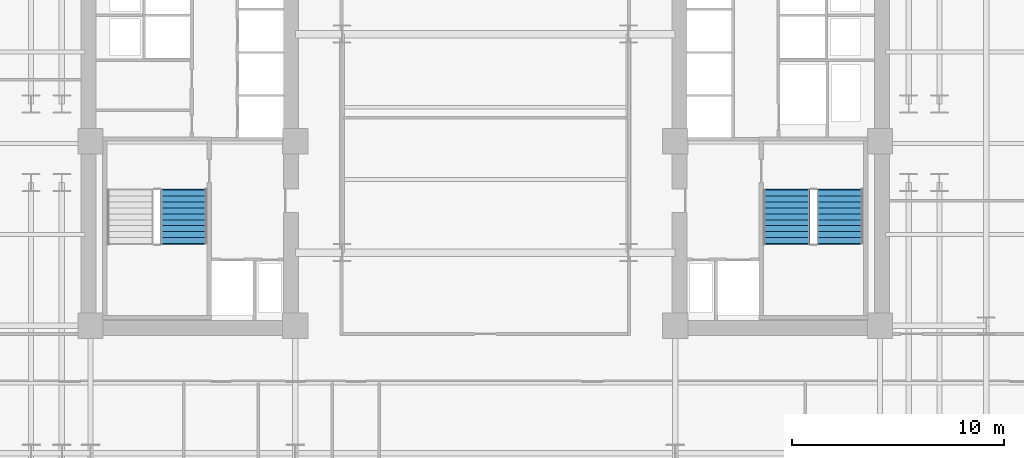
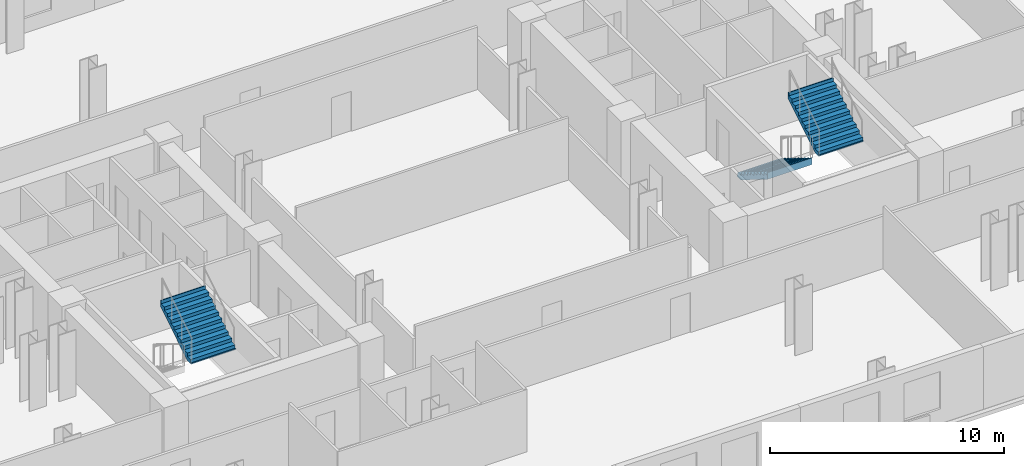
# One storey, part 8 of 10: 3 stair flights, 2 elements without a shape of their own.
"""IFC4 building model written with IfcOpenShell, lengths in metres."""

from ifc_helpers import new_model, si_unit, direction, frame, origin, place, context, subcontext, project, spatial, polyline, outline, extrude, material, layer, layer_set, type_object, element, aggregate, save


model = new_model("IFC4")

# Units and contexts
model_context = context("Model", 3, precision=1e-05, world=origin(), true_north=direction((0.0, 1.0)))
body_context = subcontext(model_context, "Body", "Model", "MODEL_VIEW")
ifc_project = project(units=[si_unit("LENGTHUNIT", "METRE"), si_unit("AREAUNIT", "SQUARE_METRE"), si_unit("VOLUMEUNIT", "CUBIC_METRE"), si_unit("PLANEANGLEUNIT", "RADIAN"), si_unit("MASSUNIT", "GRAM", prefix="KILO")], contexts=[model_context])

# Site, building, storey
site_placement = place(None, origin())
site = spatial("IfcSite", under=ifc_project, at=site_placement, CompositionType="ELEMENT")
building_placement = place(site_placement, origin())
building = spatial("IfcBuilding", under=site, at=building_placement, Name="Velakula Bourse", CompositionType="ELEMENT")
storey_placement = place(building_placement, frame((0.0, 0.0, 38.10009765625)))
storey = spatial("IfcBuildingStorey", under=building, at=storey_placement, Name="L09", CompositionType="ELEMENT", Elevation=38.10009765625)

# Stair, stair flight
ifc_material = material(Name="Concrete M45 (fck 45 MPa)", Category="concrete")
stair_type = type_object("IfcStairType", Name="STR-DOG-390", PredefinedType="HALF_TURN_STAIR", material=ifc_material)
stair_1_placement = place(storey_placement, origin())
stair_1 = element("IfcStair", 1, at=stair_1_placement, inside=storey, type_object=stair_type, Name="L09 West Core Exit Stair ST-W1", PredefinedType="HALF_TURN_STAIR")
ifc_layer = layer(ifc_material, 0.195068359375, Name="Concrete M45 (fck 45 MPa)", Category="concrete")
ifc_layer_set = layer_set([ifc_layer], Name="Concrete M45 (fck 45 MPa)")
stair_flight_type = type_object("IfcStairFlightType", Name="FLT-DOG-390", PredefinedType="STRAIGHT", material=ifc_layer_set)
stair_flight_1_placement = place(storey_placement, frame((-14.198974609375, -4.719970703125, 1.724853515625), z_axis=(0.0, 0.0, 1.0), x_axis=(0.0, 1.0, 0.0)))
stair_flight_1 = element("IfcStairFlight", 2, at=stair_flight_1_placement, type_object=stair_flight_type, Name="ST-W1 flight 2", NumberOfRisers=10, NumberOfTreads=9, PredefinedType="STRAIGHT", RiserHeight=0.1725, TreadLength=0.28, context=body_context, shape_type="SweptSolid", body=[
    extrude(outline(polyline([(-0.044921875, -0.0400390625), (-0.044921875, -0.036865234375), (-0.044921875, -0.033935546875), (-0.044921875, -0.03076171875), (-0.044921875, -0.027587890625), (-0.044921875, -0.024658203125), (-0.044921875, -0.021484375), (-0.044921875, -0.0185546875), (-0.044921875, -0.015380859375), (-0.044921875, -0.01220703125), (-0.044921875, -0.00927734375), (-0.044921875, -0.006103515625), (-0.044921875, -0.003173828125), (-0.044921875, 0.0), (0.0, 0.0), (0.0, 0.172607421875), (0.280029296875, 0.172607421875), (0.280029296875, 0.344970703125), (0.56005859375, 0.344970703125), (0.56005859375, 0.517578125), (0.840087890625, 0.517578125), (0.840087890625, 0.68994140625), (1.1201171875, 0.68994140625), (1.1201171875, 0.862548828125), (1.39990234375, 0.862548828125), (1.39990234375, 1.034912109375), (1.679931640625, 1.034912109375), (1.679931640625, 1.20751953125), (1.9599609375, 1.20751953125), (1.9599609375, 1.3798828125), (2.239990234375, 1.3798828125), (2.239990234375, 1.552490234375), (2.52001953125, 1.552490234375), (2.52001953125, 1.72509765625), (2.56494140625, 1.72509765625), (2.56494140625, 1.7001953125), (2.56494140625, 1.67529296875), (2.56494140625, 1.650390625), (2.56494140625, 1.62548828125), (2.56494140625, 1.6005859375), (2.56494140625, 1.57568359375), (2.56494140625, 1.55078125), (2.56494140625, 1.52587890625), (2.56494140625, 1.5009765625), (2.56494140625, 1.47607421875), (2.56494140625, 1.451171875), (2.56494140625, 1.42626953125), (2.56494140625, 1.4013671875), (2.56494140625, 1.37646484375), (0.285888671875, -0.0400390625), (-0.044921875, -0.0400390625)])), frame((0.0, 1.09912109375, 0.0), z_axis=(0.0, -1.0, 0.0), x_axis=(1.0, 0.0, 0.0)), (0.0, 0.0, 1.0), 2.197998046875),
])
aggregate(stair_1, [stair_flight_1])

# Stair, stair flights
stair_2_placement = place(storey_placement, origin())
stair_2 = element("IfcStair", 3, at=stair_2_placement, inside=storey, type_object=stair_type, Name="L09 East Core Exit Stair ST-E1", PredefinedType="HALF_TURN_STAIR")
stair_flight_2_placement = place(storey_placement, frame((14.198974609375, -2.199951171875, 0.0), z_axis=(0.0, 0.0, 1.0), x_axis=(0.0, -1.0, 0.0)))
stair_flight_2 = element("IfcStairFlight", 4, at=stair_flight_2_placement, type_object=stair_flight_type, Name="ST-E1 flight 1", NumberOfRisers=10, NumberOfTreads=9, PredefinedType="STRAIGHT", RiserHeight=0.1725, TreadLength=0.28, context=body_context, shape_type="SweptSolid", body=[
    extrude(outline(polyline([(-0.044921875, -0.0400390625), (-0.044921875, -0.036865234375), (-0.044921875, -0.033935546875), (-0.044921875, -0.03076171875), (-0.044921875, -0.027587890625), (-0.044921875, -0.024658203125), (-0.044921875, -0.021484375), (-0.044921875, -0.0185546875), (-0.044921875, -0.015380859375), (-0.044921875, -0.01220703125), (-0.044921875, -0.00927734375), (-0.044921875, -0.006103515625), (-0.044921875, -0.003173828125), (-0.044921875, 0.0), (0.0, 0.0), (0.0, 0.172607421875), (0.280029296875, 0.172607421875), (0.280029296875, 0.344970703125), (0.56005859375, 0.344970703125), (0.56005859375, 0.517578125), (0.840087890625, 0.517578125), (0.840087890625, 0.68994140625), (1.1201171875, 0.68994140625), (1.1201171875, 0.862548828125), (1.39990234375, 0.862548828125), (1.39990234375, 1.034912109375), (1.679931640625, 1.034912109375), (1.679931640625, 1.20751953125), (1.9599609375, 1.20751953125), (1.9599609375, 1.3798828125), (2.239990234375, 1.3798828125), (2.239990234375, 1.552490234375), (2.52001953125, 1.552490234375), (2.52001953125, 1.72509765625), (2.56494140625, 1.72509765625), (2.56494140625, 1.7001953125), (2.56494140625, 1.67529296875), (2.56494140625, 1.650390625), (2.56494140625, 1.62548828125), (2.56494140625, 1.6005859375), (2.56494140625, 1.57568359375), (2.56494140625, 1.55078125), (2.56494140625, 1.52587890625), (2.56494140625, 1.5009765625), (2.56494140625, 1.47607421875), (2.56494140625, 1.451171875), (2.56494140625, 1.42626953125), (2.56494140625, 1.4013671875), (2.56494140625, 1.37646484375), (0.285888671875, -0.0400390625), (-0.044921875, -0.0400390625)])), frame((0.0, 1.09912109375, 0.0), z_axis=(0.0, -1.0, 0.0), x_axis=(1.0, 0.0, 0.0)), (0.0, 0.0, 1.0), 2.197998046875),
])
stair_flight_3_placement = place(storey_placement, frame((16.720947265625, -4.719970703125, 1.724853515625), z_axis=(0.0, 0.0, 1.0), x_axis=(0.0, 1.0, 0.0)))
stair_flight_3 = element("IfcStairFlight", 5, at=stair_flight_3_placement, type_object=stair_flight_type, Name="ST-E1 flight 2", NumberOfRisers=10, NumberOfTreads=9, PredefinedType="STRAIGHT", RiserHeight=0.1725, TreadLength=0.28, context=body_context, shape_type="SweptSolid", body=[
    extrude(outline(polyline([(-0.044921875, -0.0400390625), (-0.044921875, -0.036865234375), (-0.044921875, -0.033935546875), (-0.044921875, -0.03076171875), (-0.044921875, -0.027587890625), (-0.044921875, -0.024658203125), (-0.044921875, -0.021484375), (-0.044921875, -0.0185546875), (-0.044921875, -0.015380859375), (-0.044921875, -0.01220703125), (-0.044921875, -0.00927734375), (-0.044921875, -0.006103515625), (-0.044921875, -0.003173828125), (-0.044921875, 0.0), (0.0, 0.0), (0.0, 0.172607421875), (0.280029296875, 0.172607421875), (0.280029296875, 0.344970703125), (0.56005859375, 0.344970703125), (0.56005859375, 0.517578125), (0.840087890625, 0.517578125), (0.840087890625, 0.68994140625), (1.1201171875, 0.68994140625), (1.1201171875, 0.862548828125), (1.39990234375, 0.862548828125), (1.39990234375, 1.034912109375), (1.679931640625, 1.034912109375), (1.679931640625, 1.20751953125), (1.9599609375, 1.20751953125), (1.9599609375, 1.3798828125), (2.239990234375, 1.3798828125), (2.239990234375, 1.552490234375), (2.52001953125, 1.552490234375), (2.52001953125, 1.72509765625), (2.56494140625, 1.72509765625), (2.56494140625, 1.7001953125), (2.56494140625, 1.67529296875), (2.56494140625, 1.650390625), (2.56494140625, 1.62548828125), (2.56494140625, 1.6005859375), (2.56494140625, 1.57568359375), (2.56494140625, 1.55078125), (2.56494140625, 1.52587890625), (2.56494140625, 1.5009765625), (2.56494140625, 1.47607421875), (2.56494140625, 1.451171875), (2.56494140625, 1.42626953125), (2.56494140625, 1.4013671875), (2.56494140625, 1.37646484375), (0.285888671875, -0.0400390625), (-0.044921875, -0.0400390625)])), frame((0.0, 1.09912109375, 0.0), z_axis=(0.0, -1.0, 0.0), x_axis=(1.0, 0.0, 0.0)), (0.0, 0.0, 1.0), 2.197998046875),
])
aggregate(stair_2, [stair_flight_2, stair_flight_3])

save(model, "model.ifc")
